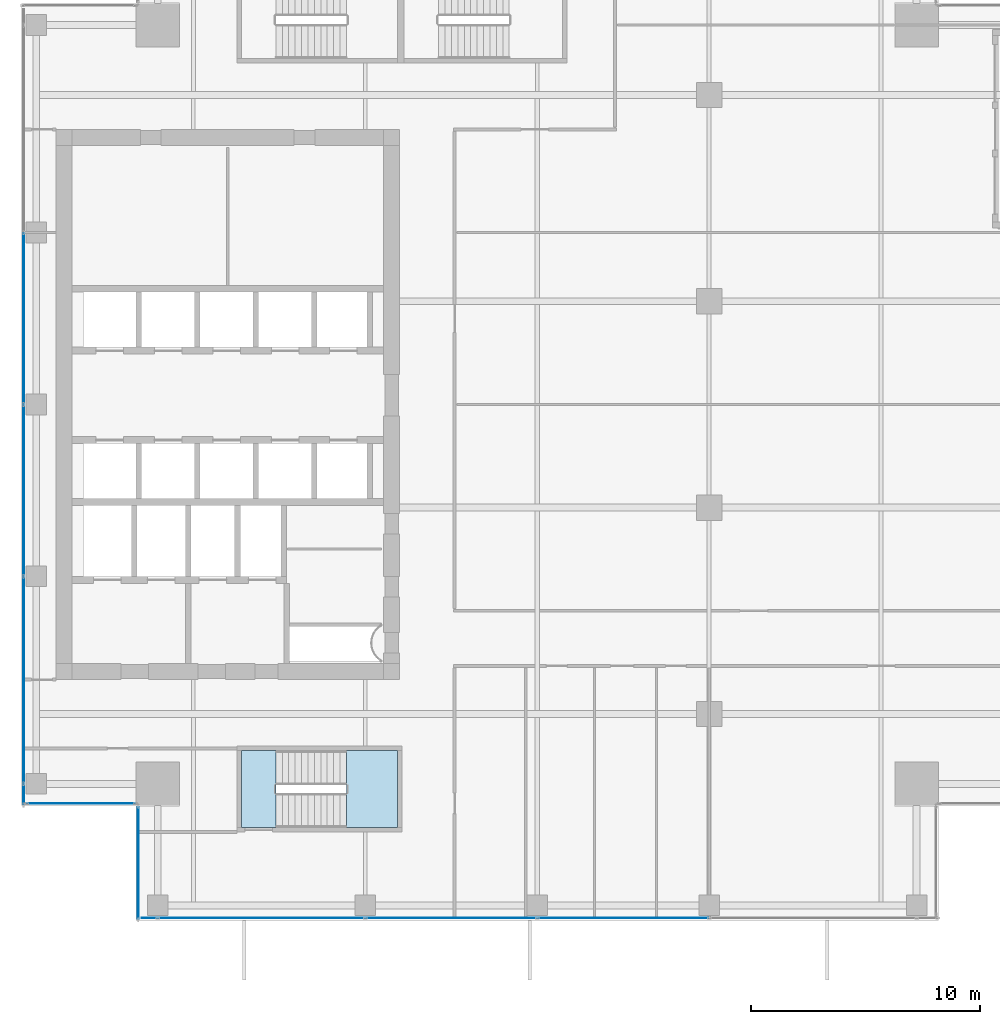
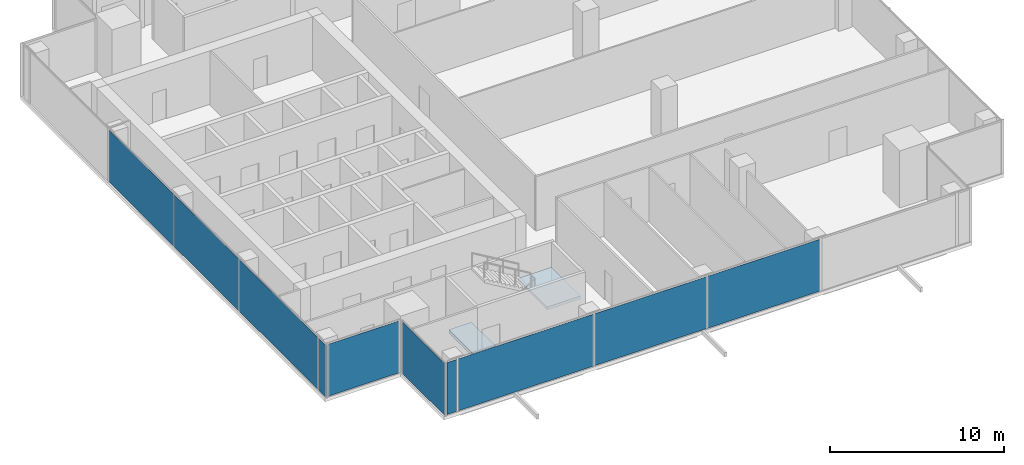
# One storey, part 24 of 34: 10 plates, 2 slabs, 5 elements without a shape of their own.
"""IFC4 building model written with IfcOpenShell, lengths in metres."""

from ifc_helpers import new_model, si_unit, direction, frame, origin, origin_2d, place, context, subcontext, project, spatial, polyline, rectangle, outline, extrude, source, transform, mapped, material, layer, layer_set, type_object, element, aggregate, save


model = new_model("IFC4")

# Units and contexts
model_context = context("Model", 3, precision=1e-05, world=origin(), true_north=direction((0.0, 1.0)))
body_context = subcontext(model_context, "Body", "Model", "MODEL_VIEW")
ifc_project = project(units=[si_unit("LENGTHUNIT", "METRE"), si_unit("AREAUNIT", "SQUARE_METRE"), si_unit("VOLUMEUNIT", "CUBIC_METRE"), si_unit("PLANEANGLEUNIT", "RADIAN"), si_unit("MASSUNIT", "GRAM", prefix="KILO")], contexts=[model_context])

# Site, building, storey
site_placement = place(None, origin())
site = spatial("IfcSite", under=ifc_project, at=site_placement, CompositionType="ELEMENT")
building_placement = place(site_placement, origin())
building = spatial("IfcBuilding", under=site, at=building_placement, Name="Khomas Fold Tower", CompositionType="ELEMENT")
storey_placement = place(building_placement, frame((0.0, 0.0, 254.199951171875)))
storey = spatial("IfcBuildingStorey", under=building, at=storey_placement, Name="L57", CompositionType="ELEMENT", Elevation=254.199951171875)

# Curtain wall, plates
ifc_material_1 = material(Name="Aluminium framed double glazing", Category="aluminium")
curtain_wall_type = type_object("IfcCurtainWallType", Name="SK-Unitised clear-glass wall, office floors CW2", PredefinedType="NOTDEFINED", material=ifc_material_1)
curtain_wall_1_placement = place(storey_placement, origin())
curtain_wall_1 = element("IfcCurtainWall", 1, at=curtain_wall_1_placement, inside=storey, type_object=curtain_wall_type, Name="CW2 run L57 00-0", PredefinedType="NOTDEFINED")
ifc_material_2 = material(Name="Clear double glazed unit")
ifc_layer_1 = layer(ifc_material_2, 0.030029296875)
ifc_layer_set_1 = layer_set([ifc_layer_1], Name="Clear double glazed unit")
plate_type = type_object("IfcPlateType", Name="SK-Unitised clear-glass wall, office floors glass panel CW2-P", PredefinedType="CURTAIN_PANEL", material=ifc_layer_set_1)
shared_shape_1 = source(origin(), body_context, "Body", "SweptSolid", [
    extrude(rectangle(XDim=0.659912109375, YDim=0.030029296875, at=origin_2d()), origin(), (0.0, 0.0, 1.0), 3.639892578125),
])
plate_1_placement = place(storey_placement, frame((10.090087890625, 4.60009765625, 0.0), z_axis=(0.0, 0.0, 1.0), x_axis=(1.0, 0.0, 0.0)))
plate_1 = element("IfcPlate", 2, at=plate_1_placement, type_object=plate_type, Name="CW2 glass panel 1", PredefinedType="CURTAIN_PANEL", context=body_context, shape_type="MappedRepresentation", body=[
    mapped(shared_shape_1, transform((0.0, 0.0, 0.0))),
])
shared_shape_2 = source(origin(), body_context, "Body", "SweptSolid", [
    extrude(rectangle(XDim=7.43994140625, YDim=0.030029296875, at=origin_2d()), origin(), (0.0, 0.0, 1.0), 3.639892578125),
])
plate_2_placement = place(storey_placement, frame((23.25, 4.60009765625, 0.0), z_axis=(0.0, 0.0, 1.0), x_axis=(1.0, 0.0, 0.0)))
plate_2 = element("IfcPlate", 3, at=plate_2_placement, type_object=plate_type, Name="CW2 glass panel 3", PredefinedType="CURTAIN_PANEL", context=body_context, shape_type="MappedRepresentation", body=[
    mapped(shared_shape_2, transform((0.0, 0.0, 0.0))),
])
plate_3_placement = place(storey_placement, frame((30.75, 4.60009765625, 0.0), z_axis=(0.0, 0.0, 1.0), x_axis=(1.0, 0.0, 0.0)))
plate_3 = element("IfcPlate", 4, at=plate_3_placement, type_object=plate_type, Name="CW2 glass panel 4", PredefinedType="CURTAIN_PANEL", context=body_context, shape_type="MappedRepresentation", body=[
    mapped(shared_shape_2, transform((0.0, 0.0, 0.0))),
])

curtain_wall_2_placement = place(storey_placement, origin())
curtain_wall_2 = element("IfcCurtainWall", 5, at=curtain_wall_2_placement, inside=storey, type_object=curtain_wall_type, Name="CW2 run L57 09-0", PredefinedType="NOTDEFINED")
plate_4_placement = place(storey_placement, frame((4.60009765625, 30.75, 0.0), z_axis=(0.0, 0.0, 1.0), x_axis=(0.0, -1.0, 0.0)))
plate_4 = element("IfcPlate", 6, at=plate_4_placement, type_object=plate_type, Name="CW2 glass panel 3", PredefinedType="CURTAIN_PANEL", context=body_context, shape_type="MappedRepresentation", body=[
    mapped(shared_shape_2, transform((0.0, 0.0, 0.0))),
])
plate_5_placement = place(storey_placement, frame((4.60009765625, 23.25, 0.0), z_axis=(0.0, 0.0, 1.0), x_axis=(0.0, -1.0, 0.0)))
plate_5 = element("IfcPlate", 7, at=plate_5_placement, type_object=plate_type, Name="CW2 glass panel 4", PredefinedType="CURTAIN_PANEL", context=body_context, shape_type="MappedRepresentation", body=[
    mapped(shared_shape_2, transform((0.0, 0.0, 0.0))),
])
shared_shape_3 = source(origin(), body_context, "Body", "SweptSolid", [
    extrude(rectangle(XDim=0.860107421875, YDim=0.030029296875, at=origin_2d()), origin(), (0.0, 0.0, 1.0), 3.639892578125),
])
plate_6_placement = place(storey_placement, frame((4.60009765625, 9.989990234375, 0.0), z_axis=(0.0, 0.0, 1.0), x_axis=(0.0, -1.0, 0.0)))
plate_6 = element("IfcPlate", 8, at=plate_6_placement, type_object=plate_type, Name="CW2 glass panel 6", PredefinedType="CURTAIN_PANEL", context=body_context, shape_type="MappedRepresentation", body=[
    mapped(shared_shape_3, transform((0.0, 0.0, 0.0))),
])

# Plate
shared_shape_4 = source(origin(), body_context, "Body", "SweptSolid", [
    extrude(rectangle(XDim=8.989990234375, YDim=0.030029296875, at=origin_2d()), origin(), (0.0, 0.0, 1.0), 3.639892578125),
])
plate_7_placement = place(storey_placement, frame((14.97509765625, 4.60009765625, 0.0), z_axis=(0.0, 0.0, 1.0), x_axis=(1.0, 0.0, 0.0)))
plate_7 = element("IfcPlate", 9, at=plate_7_placement, type_object=plate_type, Name="CW2 glass panel 2", PredefinedType="CURTAIN_PANEL", context=body_context, shape_type="MappedRepresentation", body=[
    mapped(shared_shape_4, transform((0.0, 0.0, 0.0))),
])

aggregate(curtain_wall_1, [plate_1, plate_7, plate_2, plate_3])

plate_8_placement = place(storey_placement, frame((4.60009765625, 14.97509765625, 0.0), z_axis=(0.0, 0.0, 1.0), x_axis=(0.0, -1.0, 0.0)))
plate_8 = element("IfcPlate", 10, at=plate_8_placement, type_object=plate_type, Name="CW2 glass panel 5", PredefinedType="CURTAIN_PANEL", context=body_context, shape_type="MappedRepresentation", body=[
    mapped(shared_shape_4, transform((0.0, 0.0, 0.0))),
])

aggregate(curtain_wall_2, [plate_4, plate_5, plate_8, plate_6])

# Curtain wall, plate
curtain_wall_3_placement = place(storey_placement, origin())
curtain_wall_3 = element("IfcCurtainWall", 11, at=curtain_wall_3_placement, inside=storey, type_object=curtain_wall_type, Name="CW2 corner return L57 10", PredefinedType="NOTDEFINED")
shared_shape_5 = source(origin(), body_context, "Body", "SweptSolid", [
    extrude(rectangle(XDim=4.679931640625, YDim=0.030029296875, at=origin_2d()), origin(), (0.0, 0.0, 1.0), 3.639892578125),
])
plate_9_placement = place(storey_placement, frame((7.10009765625, 9.60009765625, 0.0), z_axis=(0.0, 0.0, 1.0), x_axis=(1.0, 0.0, 0.0)))
plate_9 = element("IfcPlate", 12, at=plate_9_placement, type_object=plate_type, Name="CW2 glass panel 1", PredefinedType="CURTAIN_PANEL", context=body_context, shape_type="MappedRepresentation", body=[
    mapped(shared_shape_5, transform((0.0, 0.0, 0.0))),
])
aggregate(curtain_wall_3, [plate_9])

curtain_wall_4_placement = place(storey_placement, origin())
curtain_wall_4 = element("IfcCurtainWall", 13, at=curtain_wall_4_placement, inside=storey, type_object=curtain_wall_type, Name="CW2 corner return L57 11", PredefinedType="NOTDEFINED")
shared_shape_6 = source(origin(), body_context, "Body", "SweptSolid", [
    extrude(rectangle(XDim=4.8798828125, YDim=0.030029296875, at=origin_2d()), origin(), (0.0, 0.0, 1.0), 3.639892578125),
])
plate_10_placement = place(storey_placement, frame((9.60009765625, 7.0, 0.0), z_axis=(0.0, 0.0, 1.0), x_axis=(0.0, -1.0, 0.0)))
plate_10 = element("IfcPlate", 14, at=plate_10_placement, type_object=plate_type, Name="CW2 glass panel 1", PredefinedType="CURTAIN_PANEL", context=body_context, shape_type="MappedRepresentation", body=[
    mapped(shared_shape_6, transform((0.0, 0.0, 0.0))),
])
aggregate(curtain_wall_4, [plate_10])

# Stair, slab
ifc_material_3 = material(Name="Concrete C40/50", Category="concrete")
stair_type = type_object("IfcStairType", Name="Stair ST2", PredefinedType="HALF_TURN_STAIR", material=ifc_material_3)
stair_placement = place(storey_placement, origin())
stair = element("IfcStair", 15, at=stair_placement, inside=storey, type_object=stair_type, Name="L57 ST2", PredefinedType="HALF_TURN_STAIR")
ifc_material_4 = material(Name="Concrete C40/50", Category="concrete")
ifc_layer_2 = layer(ifc_material_4, 0.199951171875)
ifc_layer_set_2 = layer_set([ifc_layer_2], Name="Concrete C40/50")
slab_type_1 = type_object("IfcSlabType", Name="Stair landing 200", PredefinedType="LANDING", material=ifc_layer_set_2)
shared_shape_7 = source(origin(), body_context, "Body", "SweptSolid", [
    extrude(outline(polyline([(18.679931640625, 8.550048828125), (20.89990234375, 8.550048828125), (20.89990234375, 11.89990234375), (18.679931640625, 11.89990234375), (18.679931640625, 8.550048828125)])), origin(), (0.0, 0.0, 1.0), 0.199951171875),
])
slab_1_placement = place(storey_placement, frame((0.0, 0.0, 1.800048828125)))
slab_1 = element("IfcSlab", 16, at=slab_1_placement, type_object=slab_type_1, Name="ST2 landing 1", PredefinedType="LANDING", context=body_context, shape_type="MappedRepresentation", body=[
    mapped(shared_shape_7, transform((0.0, 0.0, 0.0))),
])
aggregate(stair, [slab_1])

# Slab
ifc_material_5 = material(Name="Concrete C40/50", Category="concrete")
ifc_layer_3 = layer(ifc_material_5, 0.25)
ifc_layer_set_3 = layer_set([ifc_layer_3], Name="Concrete C40/50")
slab_type_2 = type_object("IfcSlabType", Name="Stair floor landing 250", PredefinedType="LANDING", material=ifc_layer_set_3)
shared_shape_8 = source(origin(), body_context, "Body", "SweptSolid", [
    extrude(outline(polyline([(15.60009765625, 8.550048828125), (14.10009765625, 8.550048828125), (14.10009765625, 11.89990234375), (15.60009765625, 11.89990234375), (15.60009765625, 8.550048828125)])), origin(), (0.0, 0.0, 1.0), 0.25),
])
slab_2_placement = place(storey_placement, frame((0.0, 0.0, -0.25)))
element("IfcSlab", 17, at=slab_2_placement, inside=storey, type_object=slab_type_2, Name="ST2 floor landing", PredefinedType="LANDING", context=body_context, shape_type="MappedRepresentation", body=[
    mapped(shared_shape_8, transform((0.0, 0.0, 0.0))),
])

save(model, "model.ifc")
